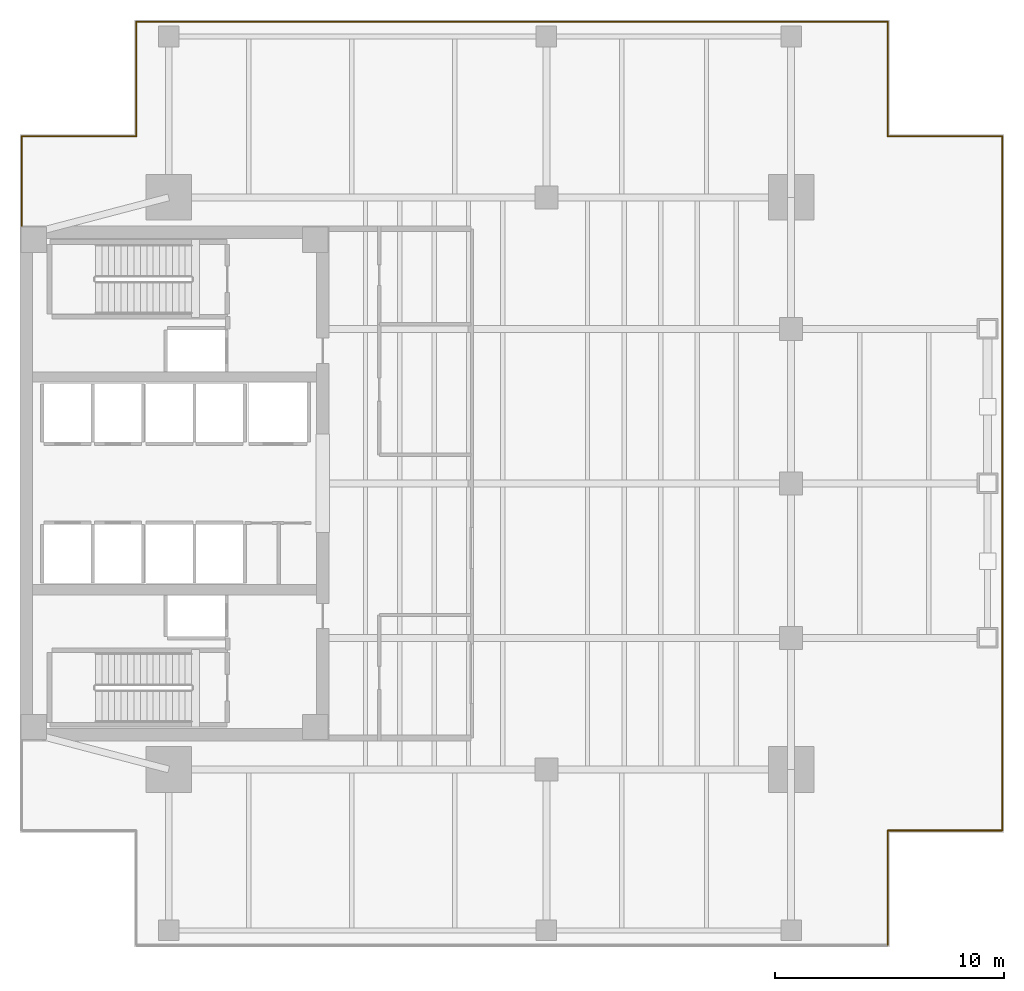
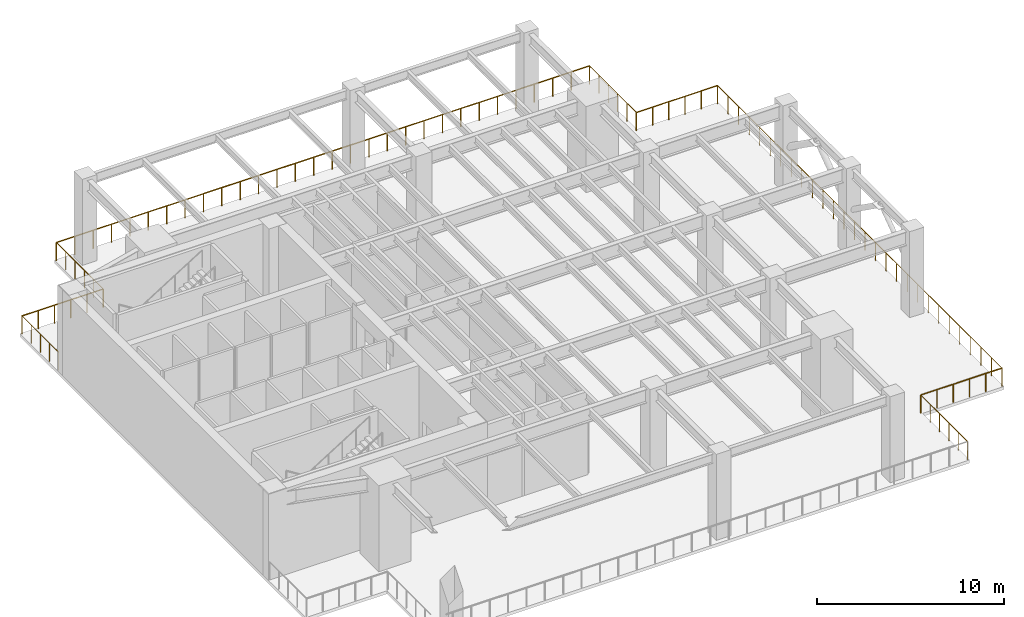
# One storey, part 8 of 8: 9 railings.
"""IFC4 building model written with IfcOpenShell, lengths in metres."""

from ifc_helpers import new_model, si_unit, direction, frame, origin, origin_2d, place, context, subcontext, project, spatial, circle, extrude, material, type_object, element, save


model = new_model("IFC4")

# Units and contexts
model_context = context("Model", 3, precision=1e-05, world=origin(), true_north=direction((0.0, 1.0)))
body_context = subcontext(model_context, "Body", "Model", "MODEL_VIEW")
ifc_project = project(units=[si_unit("LENGTHUNIT", "METRE"), si_unit("AREAUNIT", "SQUARE_METRE"), si_unit("VOLUMEUNIT", "CUBIC_METRE"), si_unit("PLANEANGLEUNIT", "RADIAN"), si_unit("MASSUNIT", "GRAM", prefix="KILO")], contexts=[model_context])

# Site, building, storey
site_placement = place(None, origin())
site = spatial("IfcSite", under=ifc_project, at=site_placement, CompositionType="ELEMENT")
building_placement = place(site_placement, origin())
building = spatial("IfcBuilding", under=site, at=building_placement, Name="Kinhvarn Gate Tower", CompositionType="ELEMENT")
storey_placement = place(building_placement, frame((0.0, 0.0, 178.050048828125)))
storey = spatial("IfcBuildingStorey", under=building, at=storey_placement, Name="L47", CompositionType="ELEMENT", Elevation=178.050048828125)

# Railings
ifc_material = material(Name="Steel S355", Category="steel")
railing_type = type_object("IfcRailingType", Name="RL-WPT-1200", PredefinedType="BALUSTRADE", material=ifc_material)
railing_1_placement = place(storey_placement, frame((42.419921875, 5.080078125, 0.0)))
element("IfcRailing", 1, at=railing_1_placement, inside=storey, type_object=railing_type, Name="Wind Portal Open Aero-Deck Perimeter Balustrade Seg 5 (L47)", PredefinedType="BALUSTRADE", context=body_context, shape_type="SweptSolid", body=[
    extrude(circle(Radius=0.02392578125, at=origin_2d()), frame((0.0, 0.0, 1.17578125), z_axis=(0.0, 1.0, 0.0), x_axis=(-1.0, 0.0, 0.0)), (0.0, 0.0, 1.0), 5.0),
    extrude(circle(Radius=0.02099609375, at=origin_2d()), origin(), (0.0, 0.0, 1.0), 1.15185546875),
    extrude(circle(Radius=0.02099609375, at=origin_2d()), frame((0.0, 1.0, 0.0)), (0.0, 0.0, 1.0), 1.15185546875),
    extrude(circle(Radius=0.02099609375, at=origin_2d()), frame((0.0, 2.0, 0.0)), (0.0, 0.0, 1.0), 1.15185546875),
    extrude(circle(Radius=0.02099609375, at=origin_2d()), frame((0.0, 3.0, 0.0)), (0.0, 0.0, 1.0), 1.15185546875),
    extrude(circle(Radius=0.02099609375, at=origin_2d()), frame((0.0, 4.0, 0.0)), (0.0, 0.0, 1.0), 1.15185546875),
    extrude(circle(Radius=0.02099609375, at=origin_2d()), frame((0.0, 5.0, 0.0)), (0.0, 0.0, 1.0), 1.15185546875),
])
railing_2_placement = place(storey_placement, frame((42.419921875, 10.080078125, 0.0)))
element("IfcRailing", 2, at=railing_2_placement, inside=storey, type_object=railing_type, Name="Wind Portal Open Aero-Deck Perimeter Balustrade Seg 6 (L47)", PredefinedType="BALUSTRADE", context=body_context, shape_type="SweptSolid", body=[
    extrude(circle(Radius=0.02392578125, at=origin_2d()), frame((0.0, 0.0, 1.17578125), z_axis=(1.0, 0.0, 0.0), x_axis=(0.0, 1.0, 0.0)), (0.0, 0.0, 1.0), 5.0),
    extrude(circle(Radius=0.02099609375, at=origin_2d()), origin(), (0.0, 0.0, 1.0), 1.15185546875),
    extrude(circle(Radius=0.02099609375, at=origin_2d()), frame((1.0, 0.0, 0.0)), (0.0, 0.0, 1.0), 1.15185546875),
    extrude(circle(Radius=0.02099609375, at=origin_2d()), frame((2.0, 0.0, 0.0)), (0.0, 0.0, 1.0), 1.15185546875),
    extrude(circle(Radius=0.02099609375, at=origin_2d()), frame((3.0, 0.0, 0.0)), (0.0, 0.0, 1.0), 1.15185546875),
    extrude(circle(Radius=0.02099609375, at=origin_2d()), frame((4.0, 0.0, 0.0)), (0.0, 0.0, 1.0), 1.15185546875),
    extrude(circle(Radius=0.02099609375, at=origin_2d()), frame((5.0, 0.0, 0.0)), (0.0, 0.0, 1.0), 1.15185546875),
])
railing_3_placement = place(storey_placement, frame((47.419921875, 10.080078125, 0.0)))
element("IfcRailing", 3, at=railing_3_placement, inside=storey, type_object=railing_type, Name="Wind Portal Open Aero-Deck Perimeter Balustrade Seg 7 (L47)", PredefinedType="BALUSTRADE", context=body_context, shape_type="SweptSolid", body=[
    extrude(circle(Radius=0.02392578125, at=origin_2d()), frame((0.0, 0.0, 1.17578125), z_axis=(0.0, 1.0, 0.0), x_axis=(-1.0, 0.0, 0.0)), (0.0, 0.0, 1.0), 30.33984375),
    extrude(circle(Radius=0.02099609375, at=origin_2d()), origin(), (0.0, 0.0, 1.0), 1.15185546875),
    extrude(circle(Radius=0.02099609375, at=origin_2d()), frame((0.0, 1.123779296875, 0.0)), (0.0, 0.0, 1.0), 1.15185546875),
    extrude(circle(Radius=0.02099609375, at=origin_2d()), frame((0.0, 2.247314453125, 0.0)), (0.0, 0.0, 1.0), 1.15185546875),
    extrude(circle(Radius=0.02099609375, at=origin_2d()), frame((0.0, 3.37109375, 0.0)), (0.0, 0.0, 1.0), 1.15185546875),
    extrude(circle(Radius=0.02099609375, at=origin_2d()), frame((0.0, 4.494873046875, 0.0)), (0.0, 0.0, 1.0), 1.15185546875),
    extrude(circle(Radius=0.02099609375, at=origin_2d()), frame((0.0, 5.618408203125, 0.0)), (0.0, 0.0, 1.0), 1.15185546875),
    extrude(circle(Radius=0.02099609375, at=origin_2d()), frame((0.0, 6.7421875, 0.0)), (0.0, 0.0, 1.0), 1.15185546875),
    extrude(circle(Radius=0.02099609375, at=origin_2d()), frame((0.0, 7.865966796875, 0.0)), (0.0, 0.0, 1.0), 1.15185546875),
    extrude(circle(Radius=0.02099609375, at=origin_2d()), frame((0.0, 8.989501953125, 0.0)), (0.0, 0.0, 1.0), 1.15185546875),
    extrude(circle(Radius=0.02099609375, at=origin_2d()), frame((0.0, 10.11328125, 0.0)), (0.0, 0.0, 1.0), 1.15185546875),
    extrude(circle(Radius=0.02099609375, at=origin_2d()), frame((0.0, 11.237060546875, 0.0)), (0.0, 0.0, 1.0), 1.15185546875),
    extrude(circle(Radius=0.02099609375, at=origin_2d()), frame((0.0, 12.360595703125, 0.0)), (0.0, 0.0, 1.0), 1.15185546875),
    extrude(circle(Radius=0.02099609375, at=origin_2d()), frame((0.0, 13.484375, 0.0)), (0.0, 0.0, 1.0), 1.15185546875),
    extrude(circle(Radius=0.02099609375, at=origin_2d()), frame((0.0, 14.608154296875, 0.0)), (0.0, 0.0, 1.0), 1.15185546875),
    extrude(circle(Radius=0.02099609375, at=origin_2d()), frame((0.0, 15.731689453125, 0.0)), (0.0, 0.0, 1.0), 1.15185546875),
    extrude(circle(Radius=0.02099609375, at=origin_2d()), frame((0.0, 16.85546875, 0.0)), (0.0, 0.0, 1.0), 1.15185546875),
    extrude(circle(Radius=0.02099609375, at=origin_2d()), frame((0.0, 17.979248046875, 0.0)), (0.0, 0.0, 1.0), 1.15185546875),
    extrude(circle(Radius=0.02099609375, at=origin_2d()), frame((0.0, 19.102783203125, 0.0)), (0.0, 0.0, 1.0), 1.15185546875),
    extrude(circle(Radius=0.02099609375, at=origin_2d()), frame((0.0, 20.2265625, 0.0)), (0.0, 0.0, 1.0), 1.15185546875),
    extrude(circle(Radius=0.02099609375, at=origin_2d()), frame((0.0, 21.350341796875, 0.0)), (0.0, 0.0, 1.0), 1.15185546875),
    extrude(circle(Radius=0.02099609375, at=origin_2d()), frame((0.0, 22.473876953125, 0.0)), (0.0, 0.0, 1.0), 1.15185546875),
    extrude(circle(Radius=0.02099609375, at=origin_2d()), frame((0.0, 23.59765625, 0.0)), (0.0, 0.0, 1.0), 1.15185546875),
    extrude(circle(Radius=0.02099609375, at=origin_2d()), frame((0.0, 24.721435546875, 0.0)), (0.0, 0.0, 1.0), 1.15185546875),
    extrude(circle(Radius=0.02099609375, at=origin_2d()), frame((0.0, 25.844970703125, 0.0)), (0.0, 0.0, 1.0), 1.15185546875),
    extrude(circle(Radius=0.02099609375, at=origin_2d()), frame((0.0, 26.96875, 0.0)), (0.0, 0.0, 1.0), 1.15185546875),
    extrude(circle(Radius=0.02099609375, at=origin_2d()), frame((0.0, 28.092529296875, 0.0)), (0.0, 0.0, 1.0), 1.15185546875),
    extrude(circle(Radius=0.02099609375, at=origin_2d()), frame((0.0, 29.216064453125, 0.0)), (0.0, 0.0, 1.0), 1.15185546875),
    extrude(circle(Radius=0.02099609375, at=origin_2d()), frame((0.0, 30.33984375, 0.0)), (0.0, 0.0, 1.0), 1.15185546875),
])
railing_4_placement = place(storey_placement, frame((47.419921875, 40.419921875, 0.0)))
element("IfcRailing", 4, at=railing_4_placement, inside=storey, type_object=railing_type, Name="Wind Portal Open Aero-Deck Perimeter Balustrade Seg 8 (L47)", PredefinedType="BALUSTRADE", context=body_context, shape_type="SweptSolid", body=[
    extrude(circle(Radius=0.02392578125, at=origin_2d()), frame((0.0, 0.0, 1.17578125), z_axis=(-1.0, 0.0, 0.0), x_axis=(0.0, -1.0, 0.0)), (0.0, 0.0, 1.0), 5.0),
    extrude(circle(Radius=0.02099609375, at=origin_2d()), origin(), (0.0, 0.0, 1.0), 1.15185546875),
    extrude(circle(Radius=0.02099609375, at=origin_2d()), frame((-1.0, 0.0, 0.0)), (0.0, 0.0, 1.0), 1.15185546875),
    extrude(circle(Radius=0.02099609375, at=origin_2d()), frame((-2.0, 0.0, 0.0)), (0.0, 0.0, 1.0), 1.15185546875),
    extrude(circle(Radius=0.02099609375, at=origin_2d()), frame((-3.0, 0.0, 0.0)), (0.0, 0.0, 1.0), 1.15185546875),
    extrude(circle(Radius=0.02099609375, at=origin_2d()), frame((-4.0, 0.0, 0.0)), (0.0, 0.0, 1.0), 1.15185546875),
    extrude(circle(Radius=0.02099609375, at=origin_2d()), frame((-5.0, 0.0, 0.0)), (0.0, 0.0, 1.0), 1.15185546875),
])
railing_5_placement = place(storey_placement, frame((42.419921875, 40.419921875, 0.0)))
element("IfcRailing", 5, at=railing_5_placement, inside=storey, type_object=railing_type, Name="Wind Portal Open Aero-Deck Perimeter Balustrade Seg 9 (L47)", PredefinedType="BALUSTRADE", context=body_context, shape_type="SweptSolid", body=[
    extrude(circle(Radius=0.02392578125, at=origin_2d()), frame((0.0, 0.0, 1.17578125), z_axis=(0.0, 1.0, 0.0), x_axis=(-1.0, 0.0, 0.0)), (0.0, 0.0, 1.0), 5.0),
    extrude(circle(Radius=0.02099609375, at=origin_2d()), origin(), (0.0, 0.0, 1.0), 1.15185546875),
    extrude(circle(Radius=0.02099609375, at=origin_2d()), frame((0.0, 1.0, 0.0)), (0.0, 0.0, 1.0), 1.15185546875),
    extrude(circle(Radius=0.02099609375, at=origin_2d()), frame((0.0, 2.0, 0.0)), (0.0, 0.0, 1.0), 1.15185546875),
    extrude(circle(Radius=0.02099609375, at=origin_2d()), frame((0.0, 3.0, 0.0)), (0.0, 0.0, 1.0), 1.15185546875),
    extrude(circle(Radius=0.02099609375, at=origin_2d()), frame((0.0, 4.0, 0.0)), (0.0, 0.0, 1.0), 1.15185546875),
    extrude(circle(Radius=0.02099609375, at=origin_2d()), frame((0.0, 5.0, 0.0)), (0.0, 0.0, 1.0), 1.15185546875),
])
railing_6_placement = place(storey_placement, frame((42.419921875, 45.419921875, 0.0)))
element("IfcRailing", 6, at=railing_6_placement, inside=storey, type_object=railing_type, Name="Wind Portal Open Aero-Deck Perimeter Balustrade Seg 10 (L47)", PredefinedType="BALUSTRADE", context=body_context, shape_type="SweptSolid", body=[
    extrude(circle(Radius=0.02392578125, at=origin_2d()), frame((0.0, 0.0, 1.17578125), z_axis=(-1.0, 0.0, 0.0), x_axis=(0.0, -1.0, 0.0)), (0.0, 0.0, 1.0), 32.83984375),
    extrude(circle(Radius=0.02099609375, at=origin_2d()), origin(), (0.0, 0.0, 1.0), 1.15185546875),
    extrude(circle(Radius=0.02099609375, at=origin_2d()), frame((-1.13232421875, 0.0, 0.0)), (0.0, 0.0, 1.0), 1.15185546875),
    extrude(circle(Radius=0.02099609375, at=origin_2d()), frame((-2.264892578125, 0.0, 0.0)), (0.0, 0.0, 1.0), 1.15185546875),
    extrude(circle(Radius=0.02099609375, at=origin_2d()), frame((-3.397216796875, 0.0, 0.0)), (0.0, 0.0, 1.0), 1.15185546875),
    extrude(circle(Radius=0.02099609375, at=origin_2d()), frame((-4.529541015625, 0.0, 0.0)), (0.0, 0.0, 1.0), 1.15185546875),
    extrude(circle(Radius=0.02099609375, at=origin_2d()), frame((-5.662109375, 0.0, 0.0)), (0.0, 0.0, 1.0), 1.15185546875),
    extrude(circle(Radius=0.02099609375, at=origin_2d()), frame((-6.79443359375, 0.0, 0.0)), (0.0, 0.0, 1.0), 1.15185546875),
    extrude(circle(Radius=0.02099609375, at=origin_2d()), frame((-7.9267578125, 0.0, 0.0)), (0.0, 0.0, 1.0), 1.15185546875),
    extrude(circle(Radius=0.02099609375, at=origin_2d()), frame((-9.059326171875, 0.0, 0.0)), (0.0, 0.0, 1.0), 1.15185546875),
    extrude(circle(Radius=0.02099609375, at=origin_2d()), frame((-10.191650390625, 0.0, 0.0)), (0.0, 0.0, 1.0), 1.15185546875),
    extrude(circle(Radius=0.02099609375, at=origin_2d()), frame((-11.323974609375, 0.0, 0.0)), (0.0, 0.0, 1.0), 1.15185546875),
    extrude(circle(Radius=0.02099609375, at=origin_2d()), frame((-12.45654296875, 0.0, 0.0)), (0.0, 0.0, 1.0), 1.15185546875),
    extrude(circle(Radius=0.02099609375, at=origin_2d()), frame((-13.5888671875, 0.0, 0.0)), (0.0, 0.0, 1.0), 1.15185546875),
    extrude(circle(Radius=0.02099609375, at=origin_2d()), frame((-14.72119140625, 0.0, 0.0)), (0.0, 0.0, 1.0), 1.15185546875),
    extrude(circle(Radius=0.02099609375, at=origin_2d()), frame((-15.853759765625, 0.0, 0.0)), (0.0, 0.0, 1.0), 1.15185546875),
    extrude(circle(Radius=0.02099609375, at=origin_2d()), frame((-16.986083984375, 0.0, 0.0)), (0.0, 0.0, 1.0), 1.15185546875),
    extrude(circle(Radius=0.02099609375, at=origin_2d()), frame((-18.11865234375, 0.0, 0.0)), (0.0, 0.0, 1.0), 1.15185546875),
    extrude(circle(Radius=0.02099609375, at=origin_2d()), frame((-19.2509765625, 0.0, 0.0)), (0.0, 0.0, 1.0), 1.15185546875),
    extrude(circle(Radius=0.02099609375, at=origin_2d()), frame((-20.38330078125, 0.0, 0.0)), (0.0, 0.0, 1.0), 1.15185546875),
    extrude(circle(Radius=0.02099609375, at=origin_2d()), frame((-21.515869140625, 0.0, 0.0)), (0.0, 0.0, 1.0), 1.15185546875),
    extrude(circle(Radius=0.02099609375, at=origin_2d()), frame((-22.648193359375, 0.0, 0.0)), (0.0, 0.0, 1.0), 1.15185546875),
    extrude(circle(Radius=0.02099609375, at=origin_2d()), frame((-23.780517578125, 0.0, 0.0)), (0.0, 0.0, 1.0), 1.15185546875),
    extrude(circle(Radius=0.02099609375, at=origin_2d()), frame((-24.9130859375, 0.0, 0.0)), (0.0, 0.0, 1.0), 1.15185546875),
    extrude(circle(Radius=0.02099609375, at=origin_2d()), frame((-26.04541015625, 0.0, 0.0)), (0.0, 0.0, 1.0), 1.15185546875),
    extrude(circle(Radius=0.02099609375, at=origin_2d()), frame((-27.177734375, 0.0, 0.0)), (0.0, 0.0, 1.0), 1.15185546875),
    extrude(circle(Radius=0.02099609375, at=origin_2d()), frame((-28.310302734375, 0.0, 0.0)), (0.0, 0.0, 1.0), 1.15185546875),
    extrude(circle(Radius=0.02099609375, at=origin_2d()), frame((-29.442626953125, 0.0, 0.0)), (0.0, 0.0, 1.0), 1.15185546875),
    extrude(circle(Radius=0.02099609375, at=origin_2d()), frame((-30.574951171875, 0.0, 0.0)), (0.0, 0.0, 1.0), 1.15185546875),
    extrude(circle(Radius=0.02099609375, at=origin_2d()), frame((-31.70751953125, 0.0, 0.0)), (0.0, 0.0, 1.0), 1.15185546875),
    extrude(circle(Radius=0.02099609375, at=origin_2d()), frame((-32.83984375, 0.0, 0.0)), (0.0, 0.0, 1.0), 1.15185546875),
])
railing_7_placement = place(storey_placement, frame((9.580078125, 45.419921875, 0.0)))
element("IfcRailing", 7, at=railing_7_placement, inside=storey, type_object=railing_type, Name="Wind Portal Open Aero-Deck Perimeter Balustrade Seg 11 (L47)", PredefinedType="BALUSTRADE", context=body_context, shape_type="SweptSolid", body=[
    extrude(circle(Radius=0.02392578125, at=origin_2d()), frame((0.0, 0.0, 1.17578125), z_axis=(0.0, -1.0, 0.0), x_axis=(1.0, 0.0, 0.0)), (0.0, 0.0, 1.0), 5.0),
    extrude(circle(Radius=0.02099609375, at=origin_2d()), origin(), (0.0, 0.0, 1.0), 1.15185546875),
    extrude(circle(Radius=0.02099609375, at=origin_2d()), frame((0.0, -1.0, 0.0)), (0.0, 0.0, 1.0), 1.15185546875),
    extrude(circle(Radius=0.02099609375, at=origin_2d()), frame((0.0, -2.0, 0.0)), (0.0, 0.0, 1.0), 1.15185546875),
    extrude(circle(Radius=0.02099609375, at=origin_2d()), frame((0.0, -3.0, 0.0)), (0.0, 0.0, 1.0), 1.15185546875),
    extrude(circle(Radius=0.02099609375, at=origin_2d()), frame((0.0, -4.0, 0.0)), (0.0, 0.0, 1.0), 1.15185546875),
    extrude(circle(Radius=0.02099609375, at=origin_2d()), frame((0.0, -5.0, 0.0)), (0.0, 0.0, 1.0), 1.15185546875),
])
railing_8_placement = place(storey_placement, frame((9.580078125, 40.419921875, 0.0)))
element("IfcRailing", 8, at=railing_8_placement, inside=storey, type_object=railing_type, Name="Wind Portal Open Aero-Deck Perimeter Balustrade Seg 12 (L47)", PredefinedType="BALUSTRADE", context=body_context, shape_type="SweptSolid", body=[
    extrude(circle(Radius=0.02392578125, at=origin_2d()), frame((0.0, 0.0, 1.17578125), z_axis=(-1.0, 0.0, 0.0), x_axis=(0.0, -1.0, 0.0)), (0.0, 0.0, 1.0), 5.0),
    extrude(circle(Radius=0.02099609375, at=origin_2d()), origin(), (0.0, 0.0, 1.0), 1.15185546875),
    extrude(circle(Radius=0.02099609375, at=origin_2d()), frame((-1.0, 0.0, 0.0)), (0.0, 0.0, 1.0), 1.15185546875),
    extrude(circle(Radius=0.02099609375, at=origin_2d()), frame((-2.0, 0.0, 0.0)), (0.0, 0.0, 1.0), 1.15185546875),
    extrude(circle(Radius=0.02099609375, at=origin_2d()), frame((-3.0, 0.0, 0.0)), (0.0, 0.0, 1.0), 1.15185546875),
    extrude(circle(Radius=0.02099609375, at=origin_2d()), frame((-4.0, 0.0, 0.0)), (0.0, 0.0, 1.0), 1.15185546875),
    extrude(circle(Radius=0.02099609375, at=origin_2d()), frame((-5.0, 0.0, 0.0)), (0.0, 0.0, 1.0), 1.15185546875),
])
railing_9_placement = place(storey_placement, frame((4.580078125, 40.419921875, 0.0)))
element("IfcRailing", 9, at=railing_9_placement, inside=storey, type_object=railing_type, Name="Wind Portal Open Aero-Deck Perimeter Balustrade Seg 13 (L47)", PredefinedType="BALUSTRADE", context=body_context, shape_type="SweptSolid", body=[
    extrude(circle(Radius=0.02392578125, at=origin_2d()), frame((0.0, 0.0, 1.17578125), z_axis=(0.0, -1.0, 0.0), x_axis=(1.0, 0.0, 0.0)), (0.0, 0.0, 1.0), 3.919921875),
    extrude(circle(Radius=0.02099609375, at=origin_2d()), origin(), (0.0, 0.0, 1.0), 1.15185546875),
    extrude(circle(Radius=0.02099609375, at=origin_2d()), frame((0.0, -0.97998046875, 0.0)), (0.0, 0.0, 1.0), 1.15185546875),
    extrude(circle(Radius=0.02099609375, at=origin_2d()), frame((0.0, -1.9599609375, 0.0)), (0.0, 0.0, 1.0), 1.15185546875),
    extrude(circle(Radius=0.02099609375, at=origin_2d()), frame((0.0, -2.93994140625, 0.0)), (0.0, 0.0, 1.0), 1.15185546875),
    extrude(circle(Radius=0.02099609375, at=origin_2d()), frame((0.0, -3.919921875, 0.0)), (0.0, 0.0, 1.0), 1.15185546875),
])

save(model, "model.ifc")
